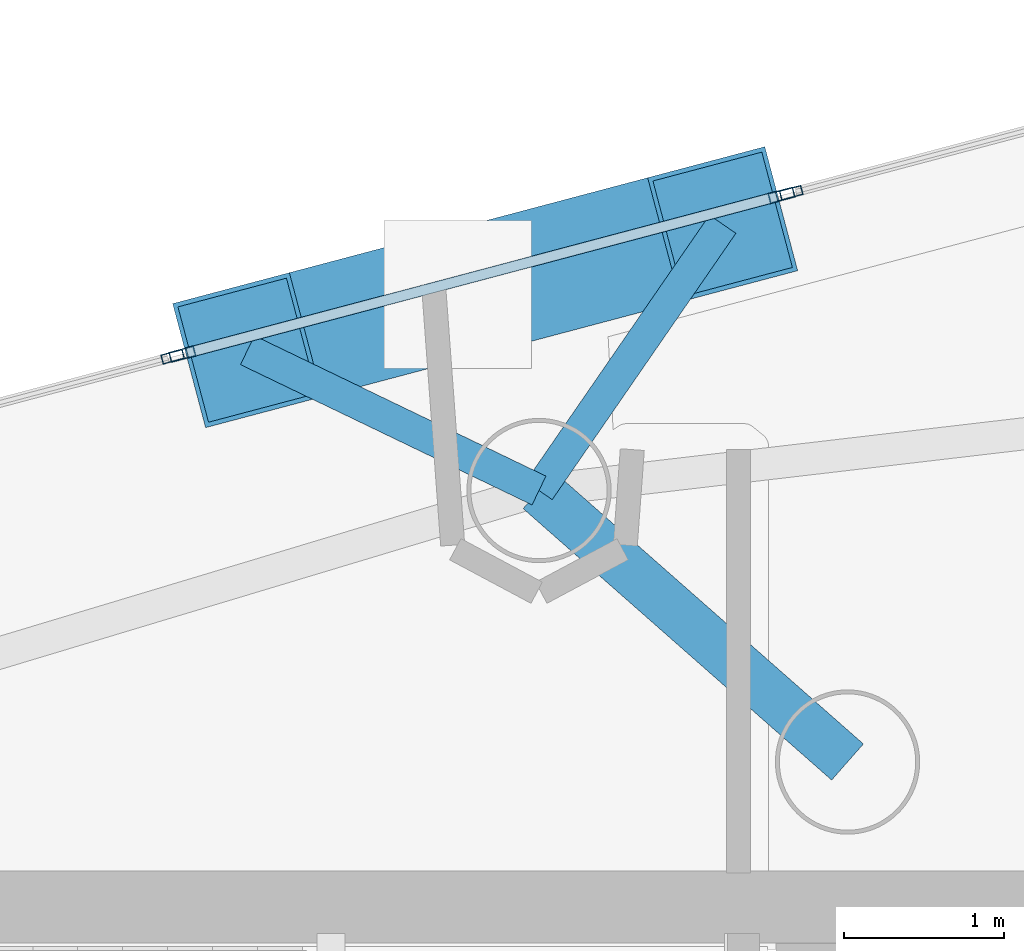
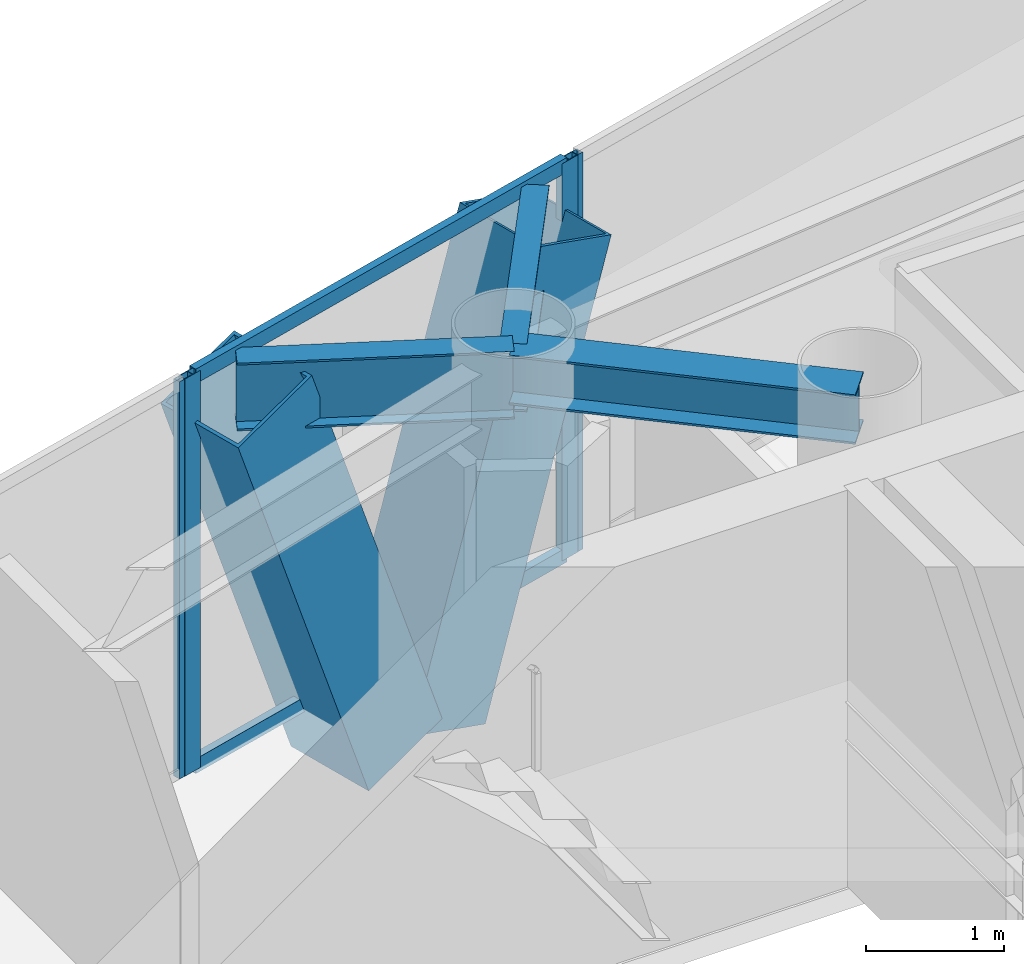
# One storey, part 13 of 23: 8 members, 3 beams, 3 elements without a shape of their own.
"""IFC4 building model written with IfcOpenShell, lengths in metres."""

from ifc_helpers import new_model, si_unit, direction, frame, origin, origin_2d, place, context, subcontext, project, spatial, hollow_rectangle, i_section, extrude, material, layer, layer_set, material_profile, profile_set, type_object, element, aggregate, save


model = new_model("IFC4")

# Units and contexts
model_context = context("Model", 3, precision=1e-05, world=origin(), true_north=direction((0.0, 1.0)))
body_context = subcontext(model_context, "Body", "Model", "MODEL_VIEW")
ifc_project = project(units=[si_unit("LENGTHUNIT", "METRE"), si_unit("AREAUNIT", "SQUARE_METRE"), si_unit("VOLUMEUNIT", "CUBIC_METRE"), si_unit("PLANEANGLEUNIT", "RADIAN"), si_unit("MASSUNIT", "GRAM", prefix="KILO")], contexts=[model_context])

# Site, building, storey
site_placement = place(None, origin())
site = spatial("IfcSite", under=ifc_project, at=site_placement, CompositionType="ELEMENT")
building_placement = place(site_placement, origin())
building = spatial("IfcBuilding", under=site, at=building_placement, Name="Qianvela Tower", CompositionType="ELEMENT")
storey_placement = place(building_placement, frame((0.0, 0.0, 313.89990234375)))
storey = spatial("IfcBuildingStorey", under=building, at=storey_placement, Name="L81", CompositionType="ELEMENT", Elevation=313.89990234375)

# Beams
ifc_material_1 = material(Name="Steel Q355B", Category="steel")
ifc_material_profile_1 = material_profile(ifc_material_1, i_section(OverallWidth=0.300048828125, OverallDepth=0.43994140625, WebThickness=0.010986328125, FlangeThickness=0.01806640625, at=origin_2d()), Name="HM440x300x11x18")
ifc_profile_set_1 = profile_set([ifc_material_profile_1], Name="Steel Q355B")
beam_type_1 = type_object("IfcBeamType", Name="BM-HM440-COLL", PredefinedType="BEAM", material=ifc_profile_set_1)
beam_1_placement = place(storey_placement, frame((38.39990234375, 33.550048828125, 3.298095703125), z_axis=(-0.750732416106, 0.660606417928, 0.0), x_axis=(-0.660606417928, -0.750732416106, 0.0)))
element("IfcBeam", 1, at=beam_1_placement, inside=storey, type_object=beam_type_1, Name="L81 Radial Primary Floor Girder 2", PredefinedType="BEAM", context=body_context, shape_type="SweptSolid", body=[
    extrude(i_section(OverallWidth=0.300048828125, OverallDepth=0.43994140625, WebThickness=0.010986328125, FlangeThickness=0.01806640625, at=origin_2d()), origin(), (0.0, 0.0, 1.0), 2.5625),
])
ifc_material_2 = material(Name="Steel Q355B", Category="steel")
ifc_material_profile_2 = material_profile(ifc_material_2, i_section(OverallWidth=0.199951171875, OverallDepth=0.60009765625, WebThickness=0.010986328125, FlangeThickness=0.01708984375, at=origin_2d()), Name="HN600x200x11x17")
ifc_profile_set_2 = profile_set([ifc_material_profile_2], Name="Steel Q355B")
beam_type_2 = type_object("IfcBeamType", Name="BM-HN600-GIRD", PredefinedType="BEAM", material=ifc_profile_set_2)
beam_2_placement = place(storey_placement, frame((36.47607421875, 35.242919921875, 3.218017578125), z_axis=(0.567786694833, 0.823175721927, 0.0), x_axis=(-0.823175721927, 0.567786694833, 0.0)))
element("IfcBeam", 2, at=beam_2_placement, inside=storey, type_object=beam_type_2, Name="L81 Mega-Brace Column Tie Bracket F1-1", PredefinedType="BEAM", context=body_context, shape_type="SweptSolid", body=[
    extrude(i_section(OverallWidth=0.199951171875, OverallDepth=0.60009765625, WebThickness=0.010986328125, FlangeThickness=0.01708984375, at=origin_2d()), origin(), (0.0, 0.0, 1.0), 2.01708984375),
])
beam_3_placement = place(storey_placement, frame((36.47607421875, 35.242919921875, 3.218017578125), z_axis=(-0.901031452195, 0.433753757511, 0.0), x_axis=(-0.433753757511, -0.901031452195, 0.0)))
element("IfcBeam", 3, at=beam_3_placement, inside=storey, type_object=beam_type_2, Name="L81 Mega-Brace Column Tie Bracket F1-2", PredefinedType="BEAM", context=body_context, shape_type="SweptSolid", body=[
    extrude(i_section(OverallWidth=0.199951171875, OverallDepth=0.60009765625, WebThickness=0.010986328125, FlangeThickness=0.01708984375, at=origin_2d()), origin(), (0.0, 0.0, 1.0), 2.017333984375),
])

# Curtain wall, members
ifc_material_3 = material(Name="Anodised Architectural Aluminium and Insulated Spandrel Panel", Category="aluminium")
ifc_layer_1 = layer(ifc_material_3, 0.179931640625)
ifc_layer_set_1 = layer_set([ifc_layer_1], Name="Anodised Architectural Aluminium and Insulated Spandrel Panel")
curtain_wall_type_1 = type_object("IfcCurtainWallType", Name="CW-BRACEBAY", PredefinedType="USERDEFINED", material=ifc_layer_set_1)
curtain_wall_1_placement = place(storey_placement, origin())
curtain_wall_1 = element("IfcCurtainWall", 4, at=curtain_wall_1_placement, inside=storey, type_object=curtain_wall_type_1, Name="L81 CW-BRACEBAY Curtain Wall 02B", ObjectType="CURTAIN_WALL_SYSTEM", PredefinedType="USERDEFINED")
ifc_material_4 = material(Name="Anodised Architectural Aluminium 6063-T6", Category="aluminium")
ifc_material_profile_3 = material_profile(ifc_material_4, hollow_rectangle(XDim=0.06494140625, YDim=0.159912109375, WallThickness=0.0048828125, at=origin_2d()), Name="ALU-MULL-65x160")
ifc_profile_set_3 = profile_set([ifc_material_profile_3], Name="Anodised Architectural Aluminium 6063-T6")
member_type_1 = type_object("IfcMemberType", Name="CW-BRACEBAY-MULL", PredefinedType="MULLION", material=ifc_profile_set_3)
member_1_placement = place(storey_placement, frame((37.98828125, 37.08349609375, 0.0), z_axis=(0.0, 0.0, 1.0), x_axis=(0.256257618602, -0.96660852102, 0.0)))
member_1 = element("IfcMember", 5, at=member_1_placement, type_object=member_type_1, Name="CW-9 mullion 1", PredefinedType="MULLION", context=body_context, shape_type="SweptSolid", body=[
    extrude(hollow_rectangle(XDim=0.06494140625, YDim=0.159912109375, WallThickness=0.0048828125, at=origin_2d()), origin(), (0.0, 0.0, 1.0), 3.52001953125),
])
member_2_placement = place(storey_placement, frame((34.25244140625, 36.093017578125, 0.0), z_axis=(0.0, 0.0, 1.0), x_axis=(0.256257618602, -0.96660852102, 0.0)))
member_2 = element("IfcMember", 6, at=member_2_placement, type_object=member_type_1, Name="CW-9 mullion 2", PredefinedType="MULLION", context=body_context, shape_type="SweptSolid", body=[
    extrude(hollow_rectangle(XDim=0.06494140625, YDim=0.159912109375, WallThickness=0.0048828125, at=origin_2d()), origin(), (0.0, 0.0, 1.0), 3.52001953125),
])
ifc_material_5 = material(Name="Anodised Architectural Aluminium 6063-T6", Category="aluminium")
ifc_material_profile_4 = material_profile(ifc_material_5, hollow_rectangle(XDim=0.06494140625, YDim=0.1298828125, WallThickness=0.00439453125, at=origin_2d()), Name="ALU-TRAN-65x130")
ifc_profile_set_4 = profile_set([ifc_material_profile_4], Name="Anodised Architectural Aluminium 6063-T6")
member_type_2 = type_object("IfcMemberType", Name="CW-BRACEBAY-TRAN", PredefinedType="USERDEFINED", material=ifc_profile_set_4)
member_3_placement = place(storey_placement, frame((37.95703125, 37.0751953125, 0.03271484375), z_axis=(-0.966601844284, -0.25628280205, 0.0), x_axis=(0.25628280205, -0.966601844284, 0.0)))
member_3 = element("IfcMember", 7, at=member_3_placement, type_object=member_type_2, Name="CW-9 transom 1.1", ObjectType="TRANSOM", PredefinedType="USERDEFINED", context=body_context, shape_type="SweptSolid", body=[
    extrude(hollow_rectangle(XDim=0.06494140625, YDim=0.1298828125, WallThickness=0.00439453125, at=origin_2d()), origin(), (0.0, 0.0, 1.0), 3.800048828125),
])
member_4_placement = place(storey_placement, frame((37.95703125, 37.0751953125, 3.487548828125), z_axis=(-0.966601844284, -0.25628280205, 0.0), x_axis=(0.25628280205, -0.966601844284, 0.0)))
member_4 = element("IfcMember", 8, at=member_4_placement, type_object=member_type_2, Name="CW-9 transom 1.2", ObjectType="TRANSOM", PredefinedType="USERDEFINED", context=body_context, shape_type="SweptSolid", body=[
    extrude(hollow_rectangle(XDim=0.06494140625, YDim=0.1298828125, WallThickness=0.00439453125, at=origin_2d()), origin(), (0.0, 0.0, 1.0), 3.800048828125),
])
aggregate(curtain_wall_1, [member_1, member_2, member_3, member_4])

# Curtain wall, member
ifc_material_6 = material(Name="Anodised Architectural Aluminium and Low-E Glass", Category="aluminium")
ifc_layer_2 = layer(ifc_material_6, 0.14990234375)
ifc_layer_set_2 = layer_set([ifc_layer_2], Name="Anodised Architectural Aluminium and Low-E Glass")
curtain_wall_type_2 = type_object("IfcCurtainWallType", Name="CW-COLIV-Z78", PredefinedType="USERDEFINED", material=ifc_layer_set_2)
curtain_wall_2_placement = place(storey_placement, origin())
curtain_wall_2 = element("IfcCurtainWall", 9, at=curtain_wall_2_placement, inside=storey, type_object=curtain_wall_type_2, Name="L81 CW-COLIV-Z78 Curtain Wall 02A", ObjectType="CURTAIN_WALL_SYSTEM", PredefinedType="USERDEFINED")
ifc_material_7 = material(Name="Anodised Architectural Aluminium 6063-T6", Category="aluminium")
ifc_material_profile_5 = material_profile(ifc_material_7, hollow_rectangle(XDim=0.06005859375, YDim=0.139892578125, WallThickness=0.00439453125, at=origin_2d()), Name="ALU-MULL-60x140")
ifc_profile_set_5 = profile_set([ifc_material_profile_5], Name="Anodised Architectural Aluminium 6063-T6")
member_type_3 = type_object("IfcMemberType", Name="CW-COLIV-Z78-MULL", PredefinedType="MULLION", material=ifc_profile_set_5)
member_5_placement = place(storey_placement, frame((38.048828125, 37.099365234375, 0.0), z_axis=(0.0, 0.0, 1.0), x_axis=(0.256236073592, -0.966614232561, 0.0)))
member_5 = element("IfcMember", 10, at=member_5_placement, type_object=member_type_3, Name="CW-6 mullion 3", PredefinedType="MULLION", context=body_context, shape_type="SweptSolid", body=[
    extrude(hollow_rectangle(XDim=0.06005859375, YDim=0.139892578125, WallThickness=0.00439453125, at=origin_2d()), origin(), (0.0, 0.0, 1.0), 3.52001953125),
])
aggregate(curtain_wall_2, [member_5])

curtain_wall_3_placement = place(storey_placement, origin())
curtain_wall_3 = element("IfcCurtainWall", 11, at=curtain_wall_3_placement, inside=storey, type_object=curtain_wall_type_2, Name="L81 CW-COLIV-Z78 Curtain Wall 02C", ObjectType="CURTAIN_WALL_SYSTEM", PredefinedType="USERDEFINED")
member_6_placement = place(storey_placement, frame((34.19189453125, 36.076904296875, 0.0), z_axis=(0.0, 0.0, 1.0), x_axis=(0.25623677384, -0.966614046935, 0.0)))
member_6 = element("IfcMember", 12, at=member_6_placement, type_object=member_type_3, Name="CW-6 mullion 1", PredefinedType="MULLION", context=body_context, shape_type="SweptSolid", body=[
    extrude(hollow_rectangle(XDim=0.06005859375, YDim=0.139892578125, WallThickness=0.00439453125, at=origin_2d()), origin(), (0.0, 0.0, 1.0), 3.52001953125),
])
aggregate(curtain_wall_3, [member_6])

# Members
ifc_material_8 = material(Name="Steel Q420GJC", Category="steel")
ifc_material_profile_6 = material_profile(ifc_material_8, hollow_rectangle(XDim=0.800048828125, YDim=0.800048828125, WallThickness=0.028076171875, at=origin_2d()), Name="MBOX-800x800x28")
ifc_profile_set_6 = profile_set([ifc_material_profile_6], Name="Steel Q420GJC")
member_type_4 = type_object("IfcMemberType", Name="MBR-MBRACE-800", PredefinedType="BRACE", material=ifc_profile_set_6)
member_7_placement = place(storey_placement, frame((36.374267578125, 36.57275390625, -0.48193359375), z_axis=(0.318257610687, 0.084361943005, 0.944243165616), x_axis=(-0.256225429018, 0.966617054228, 0.0)))
element("IfcMember", 13, at=member_7_placement, inside=storey, type_object=member_type_4, Name="L81 Tier 13 Exterior Mega-Brace F1A", PredefinedType="BRACE", context=body_context, shape_type="SweptSolid", body=[
    extrude(hollow_rectangle(XDim=0.800048828125, YDim=0.800048828125, WallThickness=0.028076171875, at=origin_2d()), origin(), (0.0, 0.0, 1.0), 3.91845703125),
])
member_8_placement = place(storey_placement, frame((35.948974609375, 36.4599609375, -0.48193359375), z_axis=(-0.328089776354, -0.086956824947, 0.940635747379), x_axis=(0.256194120194, -0.966625352853, 0.0)))
element("IfcMember", 14, at=member_8_placement, inside=storey, type_object=member_type_4, Name="L81 Tier 13 Exterior Mega-Brace F1B", PredefinedType="BRACE", context=body_context, shape_type="SweptSolid", body=[
    extrude(hollow_rectangle(XDim=0.800048828125, YDim=0.800048828125, WallThickness=0.028076171875, at=origin_2d()), origin(), (0.0, 0.0, 1.0), 3.933349609375),
])

save(model, "model.ifc")
